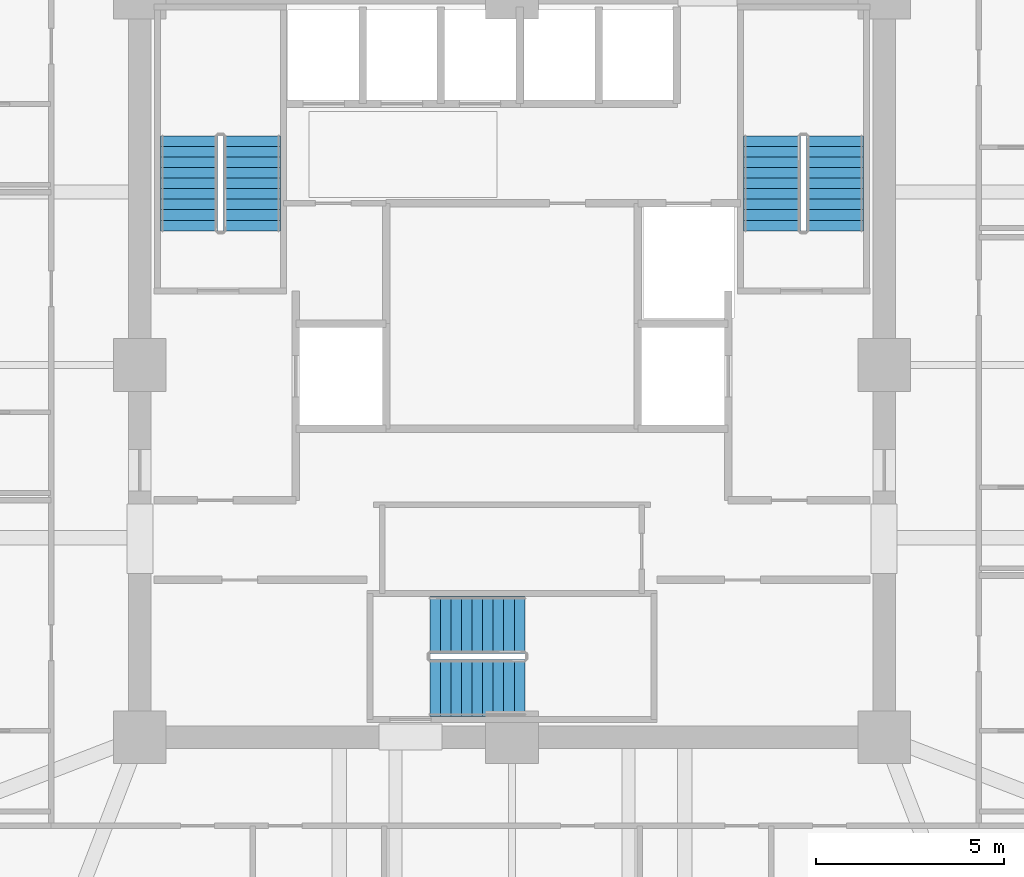
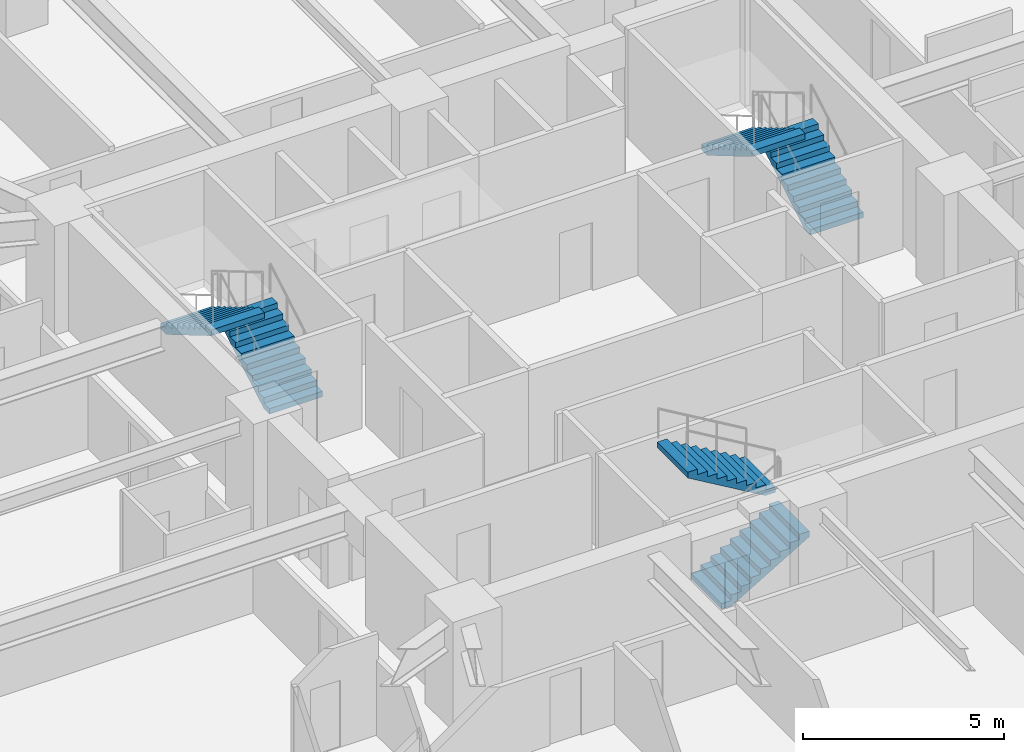
# One storey, part 36 of 38: 6 stair flights, 3 elements without a shape of their own.
"""IFC4 building model written with IfcOpenShell, lengths in metres."""

import ifcopenshell
import ifcopenshell.guid

model = None  # the IFC model being written
_history = None  # IfcOwnerHistory: only IFC2X3 demands one
_inside = {}  # id of a spatial element -> (the spatial element, [elements in it])
_under = {}  # id of a project, library or spatial element -> (it, [spatial elements below it])
_declared = {}  # id of a project -> (the project, [libraries it declares])
_typed = {}  # id of a type object -> (the type object, [elements of that type])
_made_of = {}  # id of a material, layer set ... -> (it, [elements and type objects made of it])


def new_model(schema):
    """Start an empty IFC model of exactly this schema.

    Asked for "IFC4X3", IfcOpenShell would pick the latest addendum, in which some entities
    have other attributes; the version numbers below select the first issue.
    IFC2X3 requires an IfcOwnerHistory on every rooted entity: one is made here for all.
    """
    global model, _history
    if schema == "IFC4X3":
        model = ifcopenshell.file(schema_version=(4, 3, 0, 0))
    else:
        model = ifcopenshell.file(schema=schema)
    _inside.clear()
    _under.clear()
    _declared.clear()
    _typed.clear()
    _made_of.clear()
    _history = None
    if model.schema == "IFC2X3":
        org = make("IfcOrganization", Name="unknown")
        user = make(
            "IfcPersonAndOrganization",
            ThePerson=make("IfcPerson", FamilyName="unknown"),
            TheOrganization=org,
        )
        app = make(
            "IfcApplication",
            ApplicationDeveloper=org,
            Version="unknown",
            ApplicationFullName="unknown",
            ApplicationIdentifier="unknown",
        )
        _history = make(
            "IfcOwnerHistory",
            OwningUser=user,
            OwningApplication=app,
            ChangeAction="ADDED",
            CreationDate=0,
        )
    return model


def make(cls, **values):
    """One entity of the class cls with the attributes given. An attribute that is None is left unset."""
    return model.create_entity(
        cls, **{name: value for name, value in values.items() if value is not None}
    )


def rooted(cls, **values):
    """An entity with a GlobalId (a new one), such as an element, a storey or a relation."""
    return make(cls, GlobalId=ifcopenshell.guid.new(), OwnerHistory=_history, **values)


def si_unit(unit_type, name, prefix=None):
    """IfcSIUnit, for example si_unit("LENGTHUNIT", "METRE", prefix="MILLI")."""
    return make("IfcSIUnit", UnitType=unit_type, Prefix=prefix, Name=name)


def assignment(units):
    """IfcUnitAssignment: the units of a project."""
    return None if units is None else make("IfcUnitAssignment", Units=units)


def point(xyz):
    """IfcCartesianPoint."""
    return None if xyz is None else make("IfcCartesianPoint", Coordinates=xyz)


def direction(xyz):
    """IfcDirection."""
    return None if xyz is None else make("IfcDirection", DirectionRatios=xyz)


def frame(location, z_axis=None, x_axis=None):
    """IfcAxis2Placement3D, a coordinate frame: its origin and axes. An axis left out is left unset."""
    return make(
        "IfcAxis2Placement3D",
        Location=point(location),
        Axis=direction(z_axis),
        RefDirection=direction(x_axis),
    )


def origin():
    """The frame at (0, 0, 0) with its axes left unset."""
    return frame((0.0, 0.0, 0.0))


def place(relative_to, where):
    """IfcLocalPlacement: puts the frame where relative to a parent placement (None: the world)."""
    return make(
        "IfcLocalPlacement", PlacementRelTo=relative_to, RelativePlacement=where
    )


def context(
    kind, dimensions, precision=None, world=None, true_north=None, identifier=None
):
    """IfcGeometricRepresentationContext, for example the 3D "Model" context."""
    return make(
        "IfcGeometricRepresentationContext",
        ContextIdentifier=identifier,
        ContextType=kind,
        CoordinateSpaceDimension=dimensions,
        Precision=precision,
        WorldCoordinateSystem=world,
        TrueNorth=true_north,
    )


def subcontext(parent, identifier, kind, view, scale=None):
    """IfcGeometricRepresentationSubContext, for example "Body" below "Model"."""
    return make(
        "IfcGeometricRepresentationSubContext",
        ContextIdentifier=identifier,
        ContextType=kind,
        ParentContext=parent,
        TargetScale=scale,
        TargetView=view,
    )


def project(units=None, contexts=None):
    """IfcProject with its units and contexts."""
    return rooted(
        "IfcProject",
        Name="project",
        RepresentationContexts=contexts,
        UnitsInContext=assignment(units),
    )


def spatial(cls, under=None, at=None, **own):
    """A site, building, storey or space (cls), placed at a placement, below another one or the project."""
    s = rooted(cls, ObjectPlacement=at, **own)
    if under is not None:
        _under.setdefault(under.id(), (under, []))[1].append(s)
    return s


def polyline(points):
    """IfcPolyline through the points."""
    return make("IfcPolyline", Points=[point(p) for p in points])


def outline(outer, holes=None, kind="AREA"):
    """IfcArbitraryClosedProfileDef: a profile drawn as a closed curve; with holes, ...WithVoids."""
    if holes is None:
        return make("IfcArbitraryClosedProfileDef", ProfileType=kind, OuterCurve=outer)
    return make(
        "IfcArbitraryProfileDefWithVoids",
        ProfileType=kind,
        OuterCurve=outer,
        InnerCurves=holes,
    )


def extrude(swept, where, along, depth):
    """IfcExtrudedAreaSolid: the profile swept, set in the frame where, extruded along a direction by depth."""
    return make(
        "IfcExtrudedAreaSolid",
        SweptArea=swept,
        Position=where,
        ExtrudedDirection=direction(along),
        Depth=depth,
    )


def shape(context_of_items, identifier, shape_type, items):
    """IfcShapeRepresentation: the items that make up one representation, for example the "Body"."""
    return make(
        "IfcShapeRepresentation",
        ContextOfItems=context_of_items,
        RepresentationIdentifier=identifier,
        RepresentationType=shape_type,
        Items=items,
    )


def material(Name=None, Category=None):
    """IfcMaterial."""
    return make("IfcMaterial", Name=Name, Category=Category)


def made_of(thing, what):
    """Note that an element or type object is made of a material, layer set ...; save() writes the relation."""
    if what is not None:
        _made_of.setdefault(what.id(), (what, []))[1].append(thing)
    return thing


def type_object(cls, material=None, **own):
    """A type object (cls), such as IfcWallType, which elements share."""
    return made_of(rooted(cls, **own), material)


def element(
    cls,
    number,
    at=None,
    inside=None,
    cuts=None,
    type_object=None,
    material=None,
    context=None,
    identifier="Body",
    shape_type=None,
    held_by="IfcProductDefinitionShape",
    body=None,
    shapes=None,
    **own,
):
    """One element of the class cls, such as IfcWall. Its Tag is "e" and its number.

    at: its placement. inside: the storey or other place that contains it. cuts: it is an
    opening in that element (IfcRelVoidsElement). A single representation is given by context,
    identifier, shape_type and body (its items); several are given by shapes. held_by: the class
    of the entity that holds the representations. save() writes the other relations.
    """
    e = rooted(cls, Tag="e%d" % number, ObjectPlacement=at, **own)
    if body is not None:
        shapes = [shape(context, identifier, shape_type, body)]
    if shapes is not None:
        e.Representation = make(held_by, Representations=shapes)
    if inside is not None:
        _inside.setdefault(inside.id(), (inside, []))[1].append(e)
    if cuts is not None:
        rooted(
            "IfcRelVoidsElement", RelatingBuildingElement=cuts, RelatedOpeningElement=e
        )
    if type_object is not None:
        _typed.setdefault(type_object.id(), (type_object, []))[1].append(e)
    return made_of(e, material)


def aggregate(whole, parts):
    """IfcRelAggregates: a whole, such as a stair, and the parts it consists of."""
    return rooted("IfcRelAggregates", RelatingObject=whole, RelatedObjects=parts)


def save(model, path):
    """Write the relations noted so far, then the file.

    IfcRelAggregates (storeys below a building ...), IfcRelContainedInSpatialStructure (elements
    in a storey), IfcRelDefinesByType, IfcRelAssociatesMaterial and IfcRelDeclares: one each for
    every whole, place, type object, material and project.
    """
    for whole, parts in _under.values():
        aggregate(whole, parts)
    for where, things in _inside.values():
        rooted(
            "IfcRelContainedInSpatialStructure",
            RelatedElements=things,
            RelatingStructure=where,
        )
    for kind, things in _typed.values():
        rooted("IfcRelDefinesByType", RelatedObjects=things, RelatingType=kind)
    for what, things in _made_of.values():
        rooted("IfcRelAssociatesMaterial", RelatedObjects=things, RelatingMaterial=what)
    for by, libraries in _declared.values():
        rooted("IfcRelDeclares", RelatingContext=by, RelatedDefinitions=libraries)
    model.write(path)


model = new_model("IFC4")

# Units and contexts
model_context = context("Model", 3, precision=1e-05, world=origin(), true_north=direction((0.0, 1.0)))
body_context = subcontext(model_context, "Body", "Model", "MODEL_VIEW")
ifc_project = project(units=[si_unit("LENGTHUNIT", "METRE"), si_unit("AREAUNIT", "SQUARE_METRE"), si_unit("VOLUMEUNIT", "CUBIC_METRE"), si_unit("PLANEANGLEUNIT", "RADIAN"), si_unit("MASSUNIT", "GRAM", prefix="KILO")], contexts=[model_context])

# Site, building, storey
site_placement = place(None, origin())
site = spatial("IfcSite", under=ifc_project, at=site_placement, CompositionType="ELEMENT")
building_placement = place(site_placement, origin())
building = spatial("IfcBuilding", under=site, at=building_placement, Name="Kolvaren Belvedere", CompositionType="ELEMENT")
storey_placement = place(building_placement, frame((0.0, 0.0, 27.10009765625)))
storey = spatial("IfcBuildingStorey", under=building, at=storey_placement, Name="L07", CompositionType="ELEMENT", Elevation=27.10009765625)

# Stair, stair flights
ifc_material_1 = material(Name="Concrete C50/60", Category="concrete")
stair_type = type_object("IfcStairType", Name="ST-CORE-1520", PredefinedType="HALF_TURN_STAIR", material=ifc_material_1)
stair_1_placement = place(storey_placement, origin())
stair_1 = element("IfcStair", 1, at=stair_1_placement, inside=storey, type_object=stair_type, Name="L07 Protected Exit Stair ST-1", PredefinedType="HALF_TURN_STAIR")
ifc_material_2 = material(Name="Concrete C50/60", Category="concrete")
stair_flight_type = type_object("IfcStairFlightType", Name="SF-STR-1520", PredefinedType="STRAIGHT", material=ifc_material_2)
stair_flight_1_placement = place(storey_placement, frame((-6.919921875, 3.570068359375, 0.0), z_axis=(0.0, 0.0, 1.0), x_axis=(0.0, 1.0, 0.0)))
stair_flight_1 = element("IfcStairFlight", 2, at=stair_flight_1_placement, type_object=stair_flight_type, Name="ST-1 flight 1", NumberOfRisers=10, NumberOfTreads=9, PredefinedType="STRAIGHT", RiserHeight=0.165, TreadLength=0.28, context=body_context, shape_type="SweptSolid", body=[
    extrude(outline(polyline([(0.0, 0.0), (0.0, 0.1650390625), (0.280029296875, 0.1650390625), (0.280029296875, 0.330078125), (0.56005859375, 0.330078125), (0.56005859375, 0.4951171875), (0.840087890625, 0.4951171875), (0.840087890625, 0.659912109375), (1.1201171875, 0.659912109375), (1.1201171875, 0.824951171875), (1.39990234375, 0.824951171875), (1.39990234375, 0.989990234375), (1.679931640625, 0.989990234375), (1.679931640625, 1.155029296875), (1.9599609375, 1.155029296875), (1.9599609375, 1.320068359375), (2.239990234375, 1.320068359375), (2.239990234375, 1.485107421875), (2.52001953125, 1.485107421875), (2.52001953125, 1.64990234375), (2.52001953125, 1.31103515625), (0.295166015625, 0.0), (0.0, 0.0)])), frame((0.0, 0.760009765625, 0.0), z_axis=(0.0, -1.0, 0.0), x_axis=(1.0, 0.0, 0.0)), (0.0, 0.0, 1.0), 1.52001953125),
])
stair_flight_2_placement = place(storey_placement, frame((-8.590087890625, 6.090087890625, 1.64990234375), z_axis=(0.0, 0.0, 1.0), x_axis=(0.0, -1.0, 0.0)))
stair_flight_2 = element("IfcStairFlight", 3, at=stair_flight_2_placement, type_object=stair_flight_type, Name="ST-1 flight 2", NumberOfRisers=10, NumberOfTreads=9, PredefinedType="STRAIGHT", RiserHeight=0.165, TreadLength=0.28, context=body_context, shape_type="SweptSolid", body=[
    extrude(outline(polyline([(0.0, 0.0), (0.0, 0.1650390625), (0.280029296875, 0.1650390625), (0.280029296875, 0.330078125), (0.56005859375, 0.330078125), (0.56005859375, 0.4951171875), (0.840087890625, 0.4951171875), (0.840087890625, 0.659912109375), (1.1201171875, 0.659912109375), (1.1201171875, 0.824951171875), (1.39990234375, 0.824951171875), (1.39990234375, 0.989990234375), (1.679931640625, 0.989990234375), (1.679931640625, 1.155029296875), (1.9599609375, 1.155029296875), (1.9599609375, 1.320068359375), (2.239990234375, 1.320068359375), (2.239990234375, 1.485107421875), (2.52001953125, 1.485107421875), (2.52001953125, 1.64990234375), (2.52001953125, 1.31103515625), (0.295166015625, 0.0), (0.0, 0.0)])), frame((0.0, 0.760009765625, 0.0), z_axis=(0.0, -1.0, 0.0), x_axis=(1.0, 0.0, 0.0)), (0.0, 0.0, 1.0), 1.52001953125),
])
aggregate(stair_1, [stair_flight_1, stair_flight_2])

stair_2_placement = place(storey_placement, origin())
stair_2 = element("IfcStair", 4, at=stair_2_placement, inside=storey, type_object=stair_type, Name="L07 Protected Exit Stair ST-2", PredefinedType="HALF_TURN_STAIR")
stair_flight_3_placement = place(storey_placement, frame((8.590087890625, 3.570068359375, 0.0), z_axis=(0.0, 0.0, 1.0), x_axis=(0.0, 1.0, 0.0)))
stair_flight_3 = element("IfcStairFlight", 5, at=stair_flight_3_placement, type_object=stair_flight_type, Name="ST-2 flight 1", NumberOfRisers=10, NumberOfTreads=9, PredefinedType="STRAIGHT", RiserHeight=0.165, TreadLength=0.28, context=body_context, shape_type="SweptSolid", body=[
    extrude(outline(polyline([(0.0, 0.0), (0.0, 0.1650390625), (0.280029296875, 0.1650390625), (0.280029296875, 0.330078125), (0.56005859375, 0.330078125), (0.56005859375, 0.4951171875), (0.840087890625, 0.4951171875), (0.840087890625, 0.659912109375), (1.1201171875, 0.659912109375), (1.1201171875, 0.824951171875), (1.39990234375, 0.824951171875), (1.39990234375, 0.989990234375), (1.679931640625, 0.989990234375), (1.679931640625, 1.155029296875), (1.9599609375, 1.155029296875), (1.9599609375, 1.320068359375), (2.239990234375, 1.320068359375), (2.239990234375, 1.485107421875), (2.52001953125, 1.485107421875), (2.52001953125, 1.64990234375), (2.52001953125, 1.31103515625), (0.295166015625, 0.0), (0.0, 0.0)])), frame((0.0, 0.760009765625, 0.0), z_axis=(0.0, -1.0, 0.0), x_axis=(1.0, 0.0, 0.0)), (0.0, 0.0, 1.0), 1.52001953125),
])
stair_flight_4_placement = place(storey_placement, frame((6.919921875, 6.090087890625, 1.64990234375), z_axis=(0.0, 0.0, 1.0), x_axis=(0.0, -1.0, 0.0)))
stair_flight_4 = element("IfcStairFlight", 6, at=stair_flight_4_placement, type_object=stair_flight_type, Name="ST-2 flight 2", NumberOfRisers=10, NumberOfTreads=9, PredefinedType="STRAIGHT", RiserHeight=0.165, TreadLength=0.28, context=body_context, shape_type="SweptSolid", body=[
    extrude(outline(polyline([(0.0, 0.0), (0.0, 0.1650390625), (0.280029296875, 0.1650390625), (0.280029296875, 0.330078125), (0.56005859375, 0.330078125), (0.56005859375, 0.4951171875), (0.840087890625, 0.4951171875), (0.840087890625, 0.659912109375), (1.1201171875, 0.659912109375), (1.1201171875, 0.824951171875), (1.39990234375, 0.824951171875), (1.39990234375, 0.989990234375), (1.679931640625, 0.989990234375), (1.679931640625, 1.155029296875), (1.9599609375, 1.155029296875), (1.9599609375, 1.320068359375), (2.239990234375, 1.320068359375), (2.239990234375, 1.485107421875), (2.52001953125, 1.485107421875), (2.52001953125, 1.64990234375), (2.52001953125, 1.31103515625), (0.295166015625, 0.0), (0.0, 0.0)])), frame((0.0, 0.760009765625, 0.0), z_axis=(0.0, -1.0, 0.0), x_axis=(1.0, 0.0, 0.0)), (0.0, 0.0, 1.0), 1.52001953125),
])
aggregate(stair_2, [stair_flight_3, stair_flight_4])

stair_3_placement = place(storey_placement, origin())
stair_3 = element("IfcStair", 7, at=stair_3_placement, inside=storey, type_object=stair_type, Name="L07 Protected Exit Stair ST-3", PredefinedType="HALF_TURN_STAIR")
stair_flight_5_placement = place(storey_placement, frame((-2.179931640625, -8.590087890625, 0.0), z_axis=(0.0, 0.0, 1.0), x_axis=(1.0, 0.0, 0.0)))
stair_flight_5 = element("IfcStairFlight", 8, at=stair_flight_5_placement, type_object=stair_flight_type, Name="ST-3 flight 1", NumberOfRisers=10, NumberOfTreads=9, PredefinedType="STRAIGHT", RiserHeight=0.165, TreadLength=0.28, context=body_context, shape_type="SweptSolid", body=[
    extrude(outline(polyline([(0.0, 0.0), (0.0, 0.1650390625), (0.280029296875, 0.1650390625), (0.280029296875, 0.330078125), (0.56005859375, 0.330078125), (0.56005859375, 0.4951171875), (0.840087890625, 0.4951171875), (0.840087890625, 0.659912109375), (1.1201171875, 0.659912109375), (1.1201171875, 0.824951171875), (1.39990234375, 0.824951171875), (1.39990234375, 0.989990234375), (1.679931640625, 0.989990234375), (1.679931640625, 1.155029296875), (1.9599609375, 1.155029296875), (1.9599609375, 1.320068359375), (2.239990234375, 1.320068359375), (2.239990234375, 1.485107421875), (2.52001953125, 1.485107421875), (2.52001953125, 1.64990234375), (2.52001953125, 1.31103515625), (0.295166015625, 0.0), (0.0, 0.0)])), frame((0.0, 0.760009765625, 0.0), z_axis=(0.0, -1.0, 0.0), x_axis=(1.0, 0.0, 0.0)), (0.0, 0.0, 1.0), 1.52001953125),
])
stair_flight_6_placement = place(storey_placement, frame((0.340087890625, -6.919921875, 1.64990234375), z_axis=(0.0, 0.0, 1.0), x_axis=(-1.0, 0.0, 0.0)))
stair_flight_6 = element("IfcStairFlight", 9, at=stair_flight_6_placement, type_object=stair_flight_type, Name="ST-3 flight 2", NumberOfRisers=10, NumberOfTreads=9, PredefinedType="STRAIGHT", RiserHeight=0.165, TreadLength=0.28, context=body_context, shape_type="SweptSolid", body=[
    extrude(outline(polyline([(0.0, 0.0), (0.0, 0.1650390625), (0.280029296875, 0.1650390625), (0.280029296875, 0.330078125), (0.56005859375, 0.330078125), (0.56005859375, 0.4951171875), (0.840087890625, 0.4951171875), (0.840087890625, 0.659912109375), (1.1201171875, 0.659912109375), (1.1201171875, 0.824951171875), (1.39990234375, 0.824951171875), (1.39990234375, 0.989990234375), (1.679931640625, 0.989990234375), (1.679931640625, 1.155029296875), (1.9599609375, 1.155029296875), (1.9599609375, 1.320068359375), (2.239990234375, 1.320068359375), (2.239990234375, 1.485107421875), (2.52001953125, 1.485107421875), (2.52001953125, 1.64990234375), (2.52001953125, 1.31103515625), (0.295166015625, 0.0), (0.0, 0.0)])), frame((0.0, 0.760009765625, 0.0), z_axis=(0.0, -1.0, 0.0), x_axis=(1.0, 0.0, 0.0)), (0.0, 0.0, 1.0), 1.52001953125),
])
aggregate(stair_3, [stair_flight_5, stair_flight_6])

save(model, "model.ifc")
